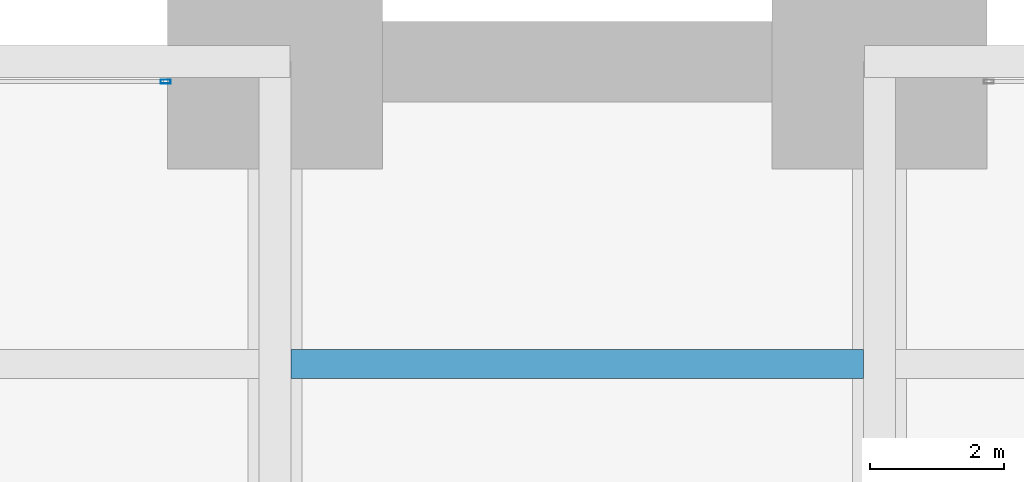
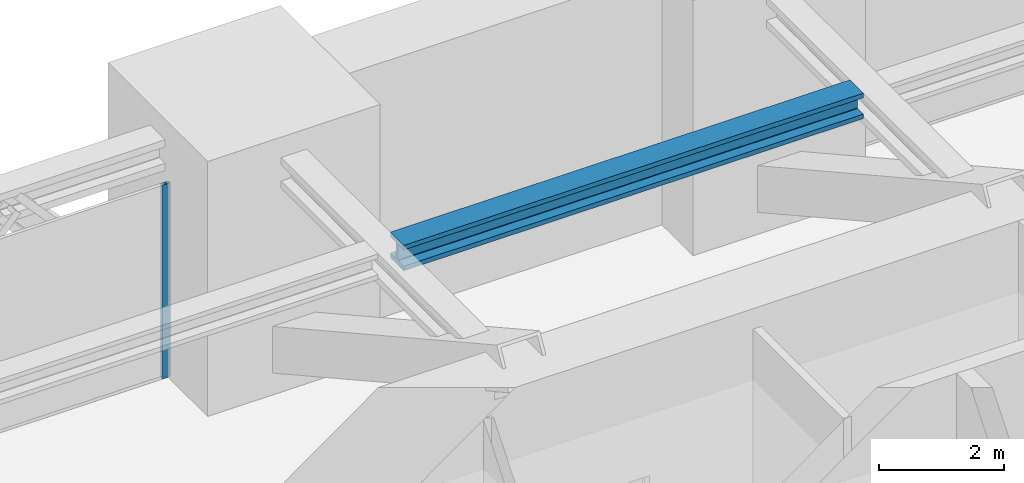
# One storey, part 23 of 32: 1 beam, 1 member, 1 element without a shape of its own.
"""IFC4 building model written with IfcOpenShell, lengths in metres."""

from ifc_helpers import new_model, si_unit, direction, frame, origin, origin_2d, place, context, subcontext, project, spatial, hollow_rectangle, i_section, extrude, material, material_profile, profile_set, type_object, element, aggregate, save


model = new_model("IFC4")

# Units and contexts
model_context = context("Model", 3, precision=1e-05, world=origin(), true_north=direction((0.0, 1.0)))
body_context = subcontext(model_context, "Body", "Model", "MODEL_VIEW")
ifc_project = project(units=[si_unit("LENGTHUNIT", "METRE"), si_unit("AREAUNIT", "SQUARE_METRE"), si_unit("VOLUMEUNIT", "CUBIC_METRE"), si_unit("PLANEANGLEUNIT", "RADIAN"), si_unit("MASSUNIT", "GRAM", prefix="KILO")], contexts=[model_context])

# Site, building, storey
site_placement = place(None, origin())
site = spatial("IfcSite", under=ifc_project, at=site_placement, CompositionType="ELEMENT")
building_placement = place(site_placement, origin())
building = spatial("IfcBuilding", under=site, at=building_placement, Name="Zorevar Civic Tower", CompositionType="ELEMENT")
storey_placement = place(building_placement, frame((0.0, 0.0, 234.39990234375)))
storey = spatial("IfcBuildingStorey", under=building, at=storey_placement, Name="L57", CompositionType="ELEMENT", Elevation=234.39990234375)

# Curtain wall, member
ifc_material_1 = material(Name="Black aluminium louvres", Category="aluminium")
curtain_wall_type = type_object("IfcCurtainWallType", Name="Louvred curtain wall CW6 refuge", PredefinedType="NOTDEFINED", material=ifc_material_1)
curtain_wall_placement = place(storey_placement, origin())
curtain_wall = element("IfcCurtainWall", 1, at=curtain_wall_placement, inside=storey, type_object=curtain_wall_type, Name="CW6 L57", PredefinedType="NOTDEFINED")
ifc_material_2 = material(Name="Aluminium, black anodised", Category="aluminium")
ifc_material_profile_1 = material_profile(ifc_material_2, hollow_rectangle(XDim=0.06005859375, YDim=0.14990234375, WallThickness=0.00390625, at=origin_2d()), Name="AL 150x60x4")
ifc_profile_set_1 = profile_set([ifc_material_profile_1], Name="Aluminium, black anodised")
member_type = type_object("IfcMemberType", Name="CW6 mullion AL 150x60x4", PredefinedType="MULLION", material=ifc_profile_set_1)
member_placement = place(storey_placement, frame((25.3701171875, 44.699951171875, 0.0), z_axis=(0.0, 0.0, 1.0), x_axis=(0.0, 1.0, 0.0)))
member = element("IfcMember", 2, at=member_placement, type_object=member_type, Name="CW6 mullion 2", PredefinedType="MULLION", context=body_context, shape_type="SweptSolid", body=[
    extrude(hollow_rectangle(XDim=0.06005859375, YDim=0.14990234375, WallThickness=0.00390625, at=origin_2d()), origin(), (0.0, 0.0, 1.0), 3.800048828125),
])
aggregate(curtain_wall, [member])

# Beam
ifc_material_3 = material(Name="Steel S460M (HISTAR 460)", Category="steel")
ifc_material_profile_2 = material_profile(ifc_material_3, i_section(OverallWidth=0.431884765625, OverallDepth=0.498046875, WebThickness=0.0556640625, FlangeThickness=0.0888671875, FilletRadius=0.014892578125, at=origin_2d()), Name="HD 400x744")
ifc_profile_set_2 = profile_set([ifc_material_profile_2], Name="Steel S460M (HISTAR 460)")
beam_type = type_object("IfcBeamType", Name="Core bay beam HD 400x744", PredefinedType="BEAM", material=ifc_profile_set_2)
beam_placement = place(storey_placement, frame((27.238037109375, 40.5, 4.35107421875), z_axis=(1.0, 0.0, 0.0), x_axis=(0.0, 1.0, 0.0)))
element("IfcBeam", 3, at=beam_placement, inside=storey, type_object=beam_type, Name="Secondary beam L58", PredefinedType="BEAM", context=body_context, shape_type="SweptSolid", body=[
    extrude(i_section(OverallWidth=0.431884765625, OverallDepth=0.498046875, WebThickness=0.0556640625, FlangeThickness=0.0888671875, FilletRadius=0.014892578125, at=origin_2d()), origin(), (0.0, 0.0, 1.0), 8.52392578125),
])

save(model, "model.ifc")
